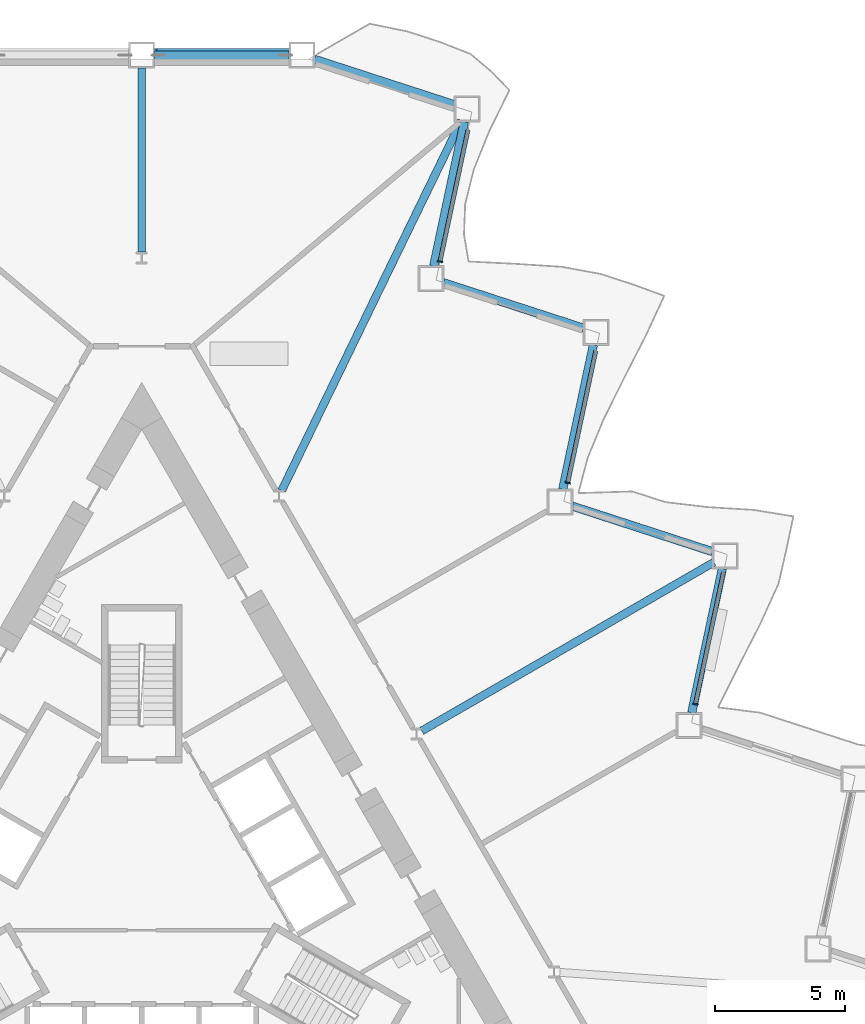
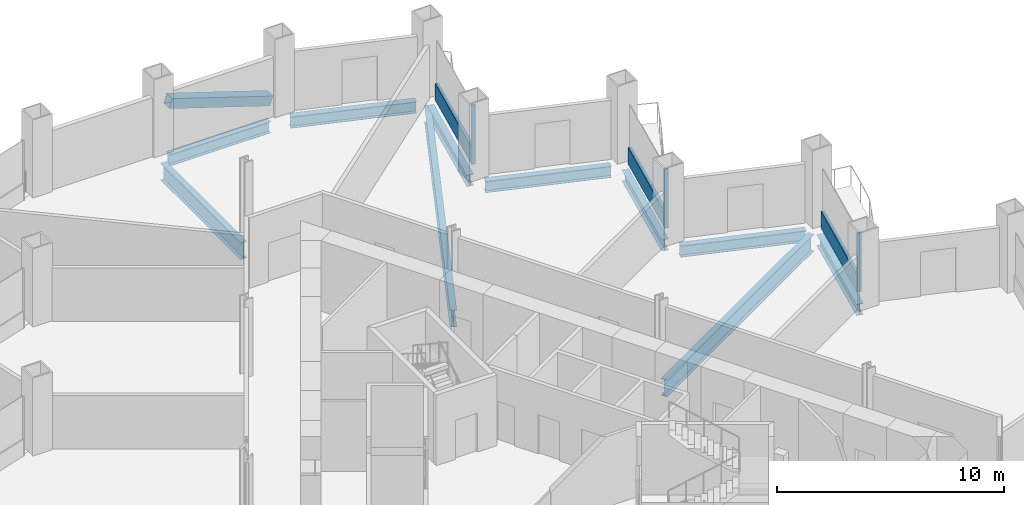
# One storey, part 7 of 21: 10 beams, 7 members, 3 elements without a shape of their own.
"""IFC4 building model written with IfcOpenShell, lengths in metres."""

import ifcopenshell
import ifcopenshell.guid

model = None  # the IFC model being written
_history = None  # IfcOwnerHistory: only IFC2X3 demands one
_inside = {}  # id of a spatial element -> (the spatial element, [elements in it])
_under = {}  # id of a project, library or spatial element -> (it, [spatial elements below it])
_declared = {}  # id of a project -> (the project, [libraries it declares])
_typed = {}  # id of a type object -> (the type object, [elements of that type])
_made_of = {}  # id of a material, layer set ... -> (it, [elements and type objects made of it])


def new_model(schema):
    """Start an empty IFC model of exactly this schema.

    Asked for "IFC4X3", IfcOpenShell would pick the latest addendum, in which some entities
    have other attributes; the version numbers below select the first issue.
    IFC2X3 requires an IfcOwnerHistory on every rooted entity: one is made here for all.
    """
    global model, _history
    if schema == "IFC4X3":
        model = ifcopenshell.file(schema_version=(4, 3, 0, 0))
    else:
        model = ifcopenshell.file(schema=schema)
    _inside.clear()
    _under.clear()
    _declared.clear()
    _typed.clear()
    _made_of.clear()
    _history = None
    if model.schema == "IFC2X3":
        org = make("IfcOrganization", Name="unknown")
        user = make(
            "IfcPersonAndOrganization",
            ThePerson=make("IfcPerson", FamilyName="unknown"),
            TheOrganization=org,
        )
        app = make(
            "IfcApplication",
            ApplicationDeveloper=org,
            Version="unknown",
            ApplicationFullName="unknown",
            ApplicationIdentifier="unknown",
        )
        _history = make(
            "IfcOwnerHistory",
            OwningUser=user,
            OwningApplication=app,
            ChangeAction="ADDED",
            CreationDate=0,
        )
    return model


def make(cls, **values):
    """One entity of the class cls with the attributes given. An attribute that is None is left unset."""
    return model.create_entity(
        cls, **{name: value for name, value in values.items() if value is not None}
    )


def rooted(cls, **values):
    """An entity with a GlobalId (a new one), such as an element, a storey or a relation."""
    return make(cls, GlobalId=ifcopenshell.guid.new(), OwnerHistory=_history, **values)


def si_unit(unit_type, name, prefix=None):
    """IfcSIUnit, for example si_unit("LENGTHUNIT", "METRE", prefix="MILLI")."""
    return make("IfcSIUnit", UnitType=unit_type, Prefix=prefix, Name=name)


def assignment(units):
    """IfcUnitAssignment: the units of a project."""
    return None if units is None else make("IfcUnitAssignment", Units=units)


def point(xyz):
    """IfcCartesianPoint."""
    return None if xyz is None else make("IfcCartesianPoint", Coordinates=xyz)


def direction(xyz):
    """IfcDirection."""
    return None if xyz is None else make("IfcDirection", DirectionRatios=xyz)


def frame(location, z_axis=None, x_axis=None):
    """IfcAxis2Placement3D, a coordinate frame: its origin and axes. An axis left out is left unset."""
    return make(
        "IfcAxis2Placement3D",
        Location=point(location),
        Axis=direction(z_axis),
        RefDirection=direction(x_axis),
    )


def frame_2d(location, x_axis=None):
    """IfcAxis2Placement2D, a coordinate frame in the plane: its origin and x axis."""
    return make(
        "IfcAxis2Placement2D", Location=point(location), RefDirection=direction(x_axis)
    )


def origin():
    """The frame at (0, 0, 0) with its axes left unset."""
    return frame((0.0, 0.0, 0.0))


def origin_2d():
    """The frame at (0, 0) in the plane with its x axis left unset."""
    return frame_2d((0.0, 0.0))


def place(relative_to, where):
    """IfcLocalPlacement: puts the frame where relative to a parent placement (None: the world)."""
    return make(
        "IfcLocalPlacement", PlacementRelTo=relative_to, RelativePlacement=where
    )


def context(
    kind, dimensions, precision=None, world=None, true_north=None, identifier=None
):
    """IfcGeometricRepresentationContext, for example the 3D "Model" context."""
    return make(
        "IfcGeometricRepresentationContext",
        ContextIdentifier=identifier,
        ContextType=kind,
        CoordinateSpaceDimension=dimensions,
        Precision=precision,
        WorldCoordinateSystem=world,
        TrueNorth=true_north,
    )


def subcontext(parent, identifier, kind, view, scale=None):
    """IfcGeometricRepresentationSubContext, for example "Body" below "Model"."""
    return make(
        "IfcGeometricRepresentationSubContext",
        ContextIdentifier=identifier,
        ContextType=kind,
        ParentContext=parent,
        TargetScale=scale,
        TargetView=view,
    )


def project(units=None, contexts=None):
    """IfcProject with its units and contexts."""
    return rooted(
        "IfcProject",
        Name="project",
        RepresentationContexts=contexts,
        UnitsInContext=assignment(units),
    )


def spatial(cls, under=None, at=None, **own):
    """A site, building, storey or space (cls), placed at a placement, below another one or the project."""
    s = rooted(cls, ObjectPlacement=at, **own)
    if under is not None:
        _under.setdefault(under.id(), (under, []))[1].append(s)
    return s


def profile(cls, at=None, kind="AREA", **sizes):
    """A parametric profile (cls). Its sizes go by their IFC names, for example OverallWidth=200.0."""
    return make(cls, ProfileType=kind, Position=at, **sizes)


def rectangle(**sizes):
    """IfcRectangleProfileDef."""
    return profile("IfcRectangleProfileDef", **sizes)


def hollow_rectangle(**sizes):
    """IfcRectangleHollowProfileDef."""
    return profile("IfcRectangleHollowProfileDef", **sizes)


def i_section(**sizes):
    """IfcIShapeProfileDef."""
    return profile("IfcIShapeProfileDef", **sizes)


def extrude(swept, where, along, depth):
    """IfcExtrudedAreaSolid: the profile swept, set in the frame where, extruded along a direction by depth."""
    return make(
        "IfcExtrudedAreaSolid",
        SweptArea=swept,
        Position=where,
        ExtrudedDirection=direction(along),
        Depth=depth,
    )


def shape(context_of_items, identifier, shape_type, items):
    """IfcShapeRepresentation: the items that make up one representation, for example the "Body"."""
    return make(
        "IfcShapeRepresentation",
        ContextOfItems=context_of_items,
        RepresentationIdentifier=identifier,
        RepresentationType=shape_type,
        Items=items,
    )


def material(Name=None, Category=None):
    """IfcMaterial."""
    return make("IfcMaterial", Name=Name, Category=Category)


def layer(
    of_material, thickness, ventilated=None, Name=None, Category=None, Priority=None
):
    """IfcMaterialLayer: one layer of a wall or slab, of a material (None: an air gap)."""
    return make(
        "IfcMaterialLayer",
        Material=of_material,
        LayerThickness=thickness,
        IsVentilated=ventilated,
        Name=Name,
        Category=Category,
        Priority=Priority,
    )


def layer_set(layers, Name=None):
    """IfcMaterialLayerSet."""
    return make("IfcMaterialLayerSet", MaterialLayers=layers, LayerSetName=Name)


def material_profile(
    of_material, cross_section, Name=None, Category=None, Priority=None
):
    """IfcMaterialProfile: a cross section and its material."""
    return make(
        "IfcMaterialProfile",
        Name=Name,
        Material=of_material,
        Profile=cross_section,
        Priority=Priority,
        Category=Category,
    )


def profile_set(profiles, Name=None, composite=None):
    """IfcMaterialProfileSet."""
    return make(
        "IfcMaterialProfileSet",
        Name=Name,
        MaterialProfiles=profiles,
        CompositeProfile=composite,
    )


def made_of(thing, what):
    """Note that an element or type object is made of a material, layer set ...; save() writes the relation."""
    if what is not None:
        _made_of.setdefault(what.id(), (what, []))[1].append(thing)
    return thing


def type_object(cls, material=None, **own):
    """A type object (cls), such as IfcWallType, which elements share."""
    return made_of(rooted(cls, **own), material)


def element(
    cls,
    number,
    at=None,
    inside=None,
    cuts=None,
    type_object=None,
    material=None,
    context=None,
    identifier="Body",
    shape_type=None,
    held_by="IfcProductDefinitionShape",
    body=None,
    shapes=None,
    **own,
):
    """One element of the class cls, such as IfcWall. Its Tag is "e" and its number.

    at: its placement. inside: the storey or other place that contains it. cuts: it is an
    opening in that element (IfcRelVoidsElement). A single representation is given by context,
    identifier, shape_type and body (its items); several are given by shapes. held_by: the class
    of the entity that holds the representations. save() writes the other relations.
    """
    e = rooted(cls, Tag="e%d" % number, ObjectPlacement=at, **own)
    if body is not None:
        shapes = [shape(context, identifier, shape_type, body)]
    if shapes is not None:
        e.Representation = make(held_by, Representations=shapes)
    if inside is not None:
        _inside.setdefault(inside.id(), (inside, []))[1].append(e)
    if cuts is not None:
        rooted(
            "IfcRelVoidsElement", RelatingBuildingElement=cuts, RelatedOpeningElement=e
        )
    if type_object is not None:
        _typed.setdefault(type_object.id(), (type_object, []))[1].append(e)
    return made_of(e, material)


def aggregate(whole, parts):
    """IfcRelAggregates: a whole, such as a stair, and the parts it consists of."""
    return rooted("IfcRelAggregates", RelatingObject=whole, RelatedObjects=parts)


def save(model, path):
    """Write the relations noted so far, then the file.

    IfcRelAggregates (storeys below a building ...), IfcRelContainedInSpatialStructure (elements
    in a storey), IfcRelDefinesByType, IfcRelAssociatesMaterial and IfcRelDeclares: one each for
    every whole, place, type object, material and project.
    """
    for whole, parts in _under.values():
        aggregate(whole, parts)
    for where, things in _inside.values():
        rooted(
            "IfcRelContainedInSpatialStructure",
            RelatedElements=things,
            RelatingStructure=where,
        )
    for kind, things in _typed.values():
        rooted("IfcRelDefinesByType", RelatedObjects=things, RelatingType=kind)
    for what, things in _made_of.values():
        rooted("IfcRelAssociatesMaterial", RelatedObjects=things, RelatingMaterial=what)
    for by, libraries in _declared.values():
        rooted("IfcRelDeclares", RelatingContext=by, RelatedDefinitions=libraries)
    model.write(path)


model = new_model("IFC4")

# Units and contexts
model_context = context("Model", 3, precision=1e-05, world=origin(), true_north=direction((0.0, 1.0)))
body_context = subcontext(model_context, "Body", "Model", "MODEL_VIEW")
ifc_project = project(units=[si_unit("LENGTHUNIT", "METRE"), si_unit("AREAUNIT", "SQUARE_METRE"), si_unit("VOLUMEUNIT", "CUBIC_METRE"), si_unit("PLANEANGLEUNIT", "RADIAN"), si_unit("MASSUNIT", "GRAM", prefix="KILO")], contexts=[model_context])

# Site, building, storey
site_placement = place(None, origin())
site = spatial("IfcSite", under=ifc_project, at=site_placement, CompositionType="ELEMENT")
building_placement = place(site_placement, origin())
building = spatial("IfcBuilding", under=site, at=building_placement, Name="Cormorant Prow Tower", CompositionType="ELEMENT")
storey_placement = place(building_placement, frame((0.0, 0.0, 67.800048828125)))
storey = spatial("IfcBuildingStorey", under=building, at=storey_placement, Name="L14", CompositionType="ELEMENT", Elevation=67.800048828125)

# Member
ifc_material_1 = material(Name="Structural steel ASTM A500 Gr C", Category="steel")
ifc_material_profile_1 = material_profile(ifc_material_1, hollow_rectangle(XDim=0.508056640625, YDim=0.508056640625, WallThickness=0.014892578125, at=origin_2d()), Name="HSS20x20x5/8")
ifc_profile_set_1 = profile_set([ifc_material_profile_1], Name="Structural steel ASTM A500 Gr C")
member_type_1 = type_object("IfcMemberType", Name="Chamfer brace HSS20x20x5/8", PredefinedType="BRACE", material=ifc_profile_set_1)
member_1_placement = place(storey_placement, frame((5.65087890625, 32.233642578125, 0.76708984375), z_axis=(-0.951761092368, 0.0, 0.306840061033), x_axis=(0.0, -1.0, 0.0)))
element("IfcMember", 1, at=member_1_placement, inside=storey, type_object=member_type_1, Name="Chamfer brace BR1 at N00 L14", PredefinedType="BRACE", context=body_context, shape_type="SweptSolid", body=[
    extrude(hollow_rectangle(XDim=0.508056640625, YDim=0.508056640625, WallThickness=0.014892578125, at=origin_2d()), origin(), (0.0, 0.0, 1.0), 5.39208984375),
])

# Curtain wall, member
ifc_material_2 = material(Name="Aluminium 6063-T6", Category="aluminium")
ifc_layer = layer(ifc_material_2, 0.199951171875)
ifc_layer_set = layer_set([ifc_layer], Name="Aluminium 6063-T6")
curtain_wall_type = type_object("IfcCurtainWallType", Name="Office unitised curtain wall 200", PredefinedType="NOTDEFINED", material=ifc_layer_set)
curtain_wall_1_placement = place(storey_placement, origin())
curtain_wall_1 = element("IfcCurtainWall", 2, at=curtain_wall_1_placement, inside=storey, type_object=curtain_wall_type, Name="Office curtain wall ENE04", PredefinedType="NOTDEFINED")
ifc_material_3 = material(Name="Aluminium 6063-T6", Category="aluminium")
ifc_material_profile_2 = material_profile(ifc_material_3, rectangle(XDim=0.199951171875, YDim=0.06005859375, at=origin_2d()), Name="Office mullion 60x200")
ifc_profile_set_2 = profile_set([ifc_material_profile_2], Name="Aluminium 6063-T6")
member_type_2 = type_object("IfcMemberType", Name="Office mullion 60x200", PredefinedType="MULLION", material=ifc_profile_set_2)
member_2_placement = place(storey_placement, frame((21.318359375, 7.259521484375, 0.0), z_axis=(0.0, 0.0, 1.0), x_axis=(-0.978147586919, 0.20791175581, 0.0)))
member_2 = element("IfcMember", 3, at=member_2_placement, type_object=member_type_2, Name="Office mullion ENE04", PredefinedType="MULLION", context=body_context, shape_type="SweptSolid", body=[
    extrude(rectangle(XDim=0.199951171875, YDim=0.06005859375, at=origin_2d()), origin(), (0.0, 0.0, 1.0), 3.18896484375),
])

curtain_wall_2_placement = place(storey_placement, origin())
curtain_wall_2 = element("IfcCurtainWall", 4, at=curtain_wall_2_placement, inside=storey, type_object=curtain_wall_type, Name="Office curtain wall ENE06", PredefinedType="NOTDEFINED")
member_3_placement = place(storey_placement, frame((16.4013671875, 15.77587890625, 0.0), z_axis=(0.0, 0.0, 1.0), x_axis=(-0.978147586919, 0.20791175581, 0.0)))
member_3 = element("IfcMember", 5, at=member_3_placement, type_object=member_type_2, Name="Office mullion ENE06", PredefinedType="MULLION", context=body_context, shape_type="SweptSolid", body=[
    extrude(rectangle(XDim=0.199951171875, YDim=0.06005859375, at=origin_2d()), origin(), (0.0, 0.0, 1.0), 3.18896484375),
])

curtain_wall_3_placement = place(storey_placement, origin())
curtain_wall_3 = element("IfcCurtainWall", 6, at=curtain_wall_3_placement, inside=storey, type_object=curtain_wall_type, Name="Office curtain wall ENE08", PredefinedType="NOTDEFINED")
member_4_placement = place(storey_placement, frame((11.484375, 24.29248046875, 0.0), z_axis=(0.0, 0.0, 1.0), x_axis=(-0.978147586919, 0.20791175581, 0.0)))
member_4 = element("IfcMember", 7, at=member_4_placement, type_object=member_type_2, Name="Office mullion ENE08", PredefinedType="MULLION", context=body_context, shape_type="SweptSolid", body=[
    extrude(rectangle(XDim=0.199951171875, YDim=0.06005859375, at=origin_2d()), origin(), (0.0, 0.0, 1.0), 3.18896484375),
])

# Member
ifc_material_4 = material(Name="Terracotta", Category="masonry")
ifc_material_profile_3 = material_profile(ifc_material_4, rectangle(XDim=0.159912109375, YDim=0.89990234375, at=origin_2d()), Name="Office terracotta spandrel rail 160x900")
ifc_profile_set_3 = profile_set([ifc_material_profile_3], Name="Terracotta")
member_type_3 = type_object("IfcMemberType", Name="Office terracotta spandrel rail 160x900", PredefinedType="USERDEFINED", material=ifc_profile_set_3)
member_5_placement = place(storey_placement, frame((21.324462890625, 7.288818359375, 0.449951171875), z_axis=(0.207952297337, 0.978138968671, 0.0), x_axis=(-0.978138968671, 0.207952297337, 0.0)))
member_5 = element("IfcMember", 8, at=member_5_placement, type_object=member_type_3, Name="Office spandrel rail ENE04", ObjectType="TRANSOM", PredefinedType="USERDEFINED", context=body_context, shape_type="SweptSolid", body=[
    extrude(rectangle(XDim=0.159912109375, YDim=0.89990234375, at=origin_2d()), origin(), (0.0, 0.0, 1.0), 5.150390625),
])

aggregate(curtain_wall_1, [member_2, member_5])

member_6_placement = place(storey_placement, frame((16.407470703125, 15.805419921875, 0.449951171875), z_axis=(0.207952297337, 0.978138968671, 0.0), x_axis=(-0.978138968671, 0.207952297337, 0.0)))
member_6 = element("IfcMember", 9, at=member_6_placement, type_object=member_type_3, Name="Office spandrel rail ENE06", ObjectType="TRANSOM", PredefinedType="USERDEFINED", context=body_context, shape_type="SweptSolid", body=[
    extrude(rectangle(XDim=0.159912109375, YDim=0.89990234375, at=origin_2d()), origin(), (0.0, 0.0, 1.0), 5.150390625),
])

aggregate(curtain_wall_2, [member_3, member_6])

member_7_placement = place(storey_placement, frame((11.490478515625, 24.32177734375, 0.449951171875), z_axis=(0.207897305086, 0.978150658405, 0.0), x_axis=(-0.978150658405, 0.207897305086, 0.0)))
member_7 = element("IfcMember", 10, at=member_7_placement, type_object=member_type_3, Name="Office spandrel rail ENE08", ObjectType="TRANSOM", PredefinedType="USERDEFINED", context=body_context, shape_type="SweptSolid", body=[
    extrude(rectangle(XDim=0.159912109375, YDim=0.89990234375, at=origin_2d()), origin(), (0.0, 0.0, 1.0), 5.150634765625),
])

aggregate(curtain_wall_3, [member_4, member_7])

# Beams
ifc_material_5 = material(Name="Structural steel ASTM A992 Gr 50", Category="steel")
ifc_material_profile_4 = material_profile(ifc_material_5, i_section(OverallWidth=0.3046875, OverallDepth=0.914794921875, WebThickness=0.0166015625, FlangeThickness=0.02587890625, at=origin_2d()), Name="W36x160")
ifc_profile_set_4 = profile_set([ifc_material_profile_4], Name="Structural steel ASTM A992 Gr 50")
beam_type_1 = type_object("IfcBeamType", Name="Radial floor beam W36x160", PredefinedType="BEAM", material=ifc_profile_set_4)
beam_1_placement = place(storey_placement, frame((0.0, 24.662109375, -0.857421875), z_axis=(0.0, 1.0, 0.0), x_axis=(-1.0, 0.0, 0.0)))
element("IfcBeam", 11, at=beam_1_placement, inside=storey, type_object=beam_type_1, Name="Radial floor beam FB1 1 L14", PredefinedType="BEAM", context=body_context, shape_type="SweptSolid", body=[
    extrude(i_section(OverallWidth=0.3046875, OverallDepth=0.914794921875, WebThickness=0.0166015625, FlangeThickness=0.02587890625, at=origin_2d()), origin(), (0.0, 0.0, 1.0), 7.071533203125),
])
beam_2_placement = place(storey_placement, frame((10.779541015625, 6.2236328125, -0.857421875), z_axis=(0.866030278318, 0.499991556966, 0.0), x_axis=(-0.499991556966, 0.866030278318, 0.0)))
element("IfcBeam", 12, at=beam_2_placement, inside=storey, type_object=beam_type_1, Name="Radial floor beam FB1 11 L14", PredefinedType="BEAM", context=body_context, shape_type="SweptSolid", body=[
    extrude(i_section(OverallWidth=0.3046875, OverallDepth=0.914794921875, WebThickness=0.0166015625, FlangeThickness=0.02587890625, at=origin_2d()), origin(), (0.0, 0.0, 1.0), 12.984130859375),
])
beam_3_placement = place(storey_placement, frame((5.390625, 15.4775390625, -0.857421875), z_axis=(0.436839436813, 0.899539496879, 0.0), x_axis=(-0.899539496879, 0.436839436813, 0.0)))
element("IfcBeam", 13, at=beam_3_placement, inside=storey, type_object=beam_type_1, Name="Radial floor beam FB1 12 L14", PredefinedType="BEAM", context=body_context, shape_type="SweptSolid", body=[
    extrude(i_section(OverallWidth=0.3046875, OverallDepth=0.914794921875, WebThickness=0.0166015625, FlangeThickness=0.02587890625, at=origin_2d()), origin(), (0.0, 0.0, 1.0), 15.83203125),
])
ifc_material_6 = material(Name="Structural steel ASTM A992 Gr 50", Category="steel")
ifc_material_profile_5 = material_profile(ifc_material_6, i_section(OverallWidth=0.32373046875, OverallDepth=0.611083984375, WebThickness=0.0126953125, FlangeThickness=0.01904296875, at=origin_2d()), Name="W24x104")
ifc_profile_set_5 = profile_set([ifc_material_profile_5], Name="Structural steel ASTM A992 Gr 50")
beam_type_2 = type_object("IfcBeamType", Name="Spandrel beam W24x104", PredefinedType="SPANDREL", material=ifc_profile_set_5)
beam_4_placement = place(storey_placement, frame((21.171875, 6.918212890625, -0.70556640625), z_axis=(0.207900376723, 0.97815000555, 0.0), x_axis=(-0.97815000555, 0.207900376723, 0.0)))
element("IfcBeam", 14, at=beam_4_placement, inside=storey, type_object=beam_type_2, Name="Spandrel beam SB1 ENE04-ENE05 L14", PredefinedType="SPANDREL", context=body_context, shape_type="SweptSolid", body=[
    extrude(i_section(OverallWidth=0.32373046875, OverallDepth=0.611083984375, WebThickness=0.0126953125, FlangeThickness=0.01904296875, at=origin_2d()), origin(), (0.0, 0.0, 1.0), 5.6826171875),
])
beam_5_placement = place(storey_placement, frame((21.981689453125, 13.1201171875, -0.70556640625), z_axis=(-0.951049222751, 0.309039440696, 0.0), x_axis=(-0.309039440696, -0.951049222751, 0.0)))
element("IfcBeam", 15, at=beam_5_placement, inside=storey, type_object=beam_type_2, Name="Spandrel beam SB1 ENE05-ENE06 L14", PredefinedType="SPANDREL", context=body_context, shape_type="SweptSolid", body=[
    extrude(i_section(OverallWidth=0.32373046875, OverallDepth=0.611083984375, WebThickness=0.0126953125, FlangeThickness=0.01904296875, at=origin_2d()), origin(), (0.0, 0.0, 1.0), 5.682373046875),
])
beam_6_placement = place(storey_placement, frame((16.205810546875, 15.519775390625, -0.70556640625), z_axis=(0.207900376723, 0.97815000555, 0.0), x_axis=(-0.97815000555, 0.207900376723, 0.0)))
element("IfcBeam", 16, at=beam_6_placement, inside=storey, type_object=beam_type_2, Name="Spandrel beam SB1 ENE06-ENE07 L14", PredefinedType="SPANDREL", context=body_context, shape_type="SweptSolid", body=[
    extrude(i_section(OverallWidth=0.32373046875, OverallDepth=0.611083984375, WebThickness=0.0126953125, FlangeThickness=0.01904296875, at=origin_2d()), origin(), (0.0, 0.0, 1.0), 5.6826171875),
])
beam_7_placement = place(storey_placement, frame((17.015625, 21.7216796875, -0.70556640625), z_axis=(-0.951049222751, 0.309039440696, 0.0), x_axis=(-0.309039440696, -0.951049222751, 0.0)))
element("IfcBeam", 17, at=beam_7_placement, inside=storey, type_object=beam_type_2, Name="Spandrel beam SB1 ENE07-ENE08 L14", PredefinedType="SPANDREL", context=body_context, shape_type="SweptSolid", body=[
    extrude(i_section(OverallWidth=0.32373046875, OverallDepth=0.611083984375, WebThickness=0.0126953125, FlangeThickness=0.01904296875, at=origin_2d()), origin(), (0.0, 0.0, 1.0), 5.682373046875),
])
beam_8_placement = place(storey_placement, frame((11.23974609375, 24.121337890625, -0.70556640625), z_axis=(0.207900376723, 0.97815000555, 0.0), x_axis=(-0.97815000555, 0.207900376723, 0.0)))
element("IfcBeam", 18, at=beam_8_placement, inside=storey, type_object=beam_type_2, Name="Spandrel beam SB1 ENE08-ENE09 L14", PredefinedType="SPANDREL", context=body_context, shape_type="SweptSolid", body=[
    extrude(i_section(OverallWidth=0.32373046875, OverallDepth=0.611083984375, WebThickness=0.0126953125, FlangeThickness=0.01904296875, at=origin_2d()), origin(), (0.0, 0.0, 1.0), 5.6826171875),
])
beam_9_placement = place(storey_placement, frame((12.049560546875, 30.3232421875, -0.70556640625), z_axis=(-0.951061849722, 0.309000579292, 0.0), x_axis=(-0.309000579292, -0.951061849722, 0.0)))
element("IfcBeam", 19, at=beam_9_placement, inside=storey, type_object=beam_type_2, Name="Spandrel beam SB1 ENE09-N00 L14", PredefinedType="SPANDREL", context=body_context, shape_type="SweptSolid", body=[
    extrude(i_section(OverallWidth=0.32373046875, OverallDepth=0.611083984375, WebThickness=0.0126953125, FlangeThickness=0.01904296875, at=origin_2d()), origin(), (0.0, 0.0, 1.0), 5.682373046875),
])
beam_10_placement = place(storey_placement, frame((5.669677734375, 32.233642578125, -0.70556640625), z_axis=(-1.0, 0.0, 0.0), x_axis=(0.0, -1.0, 0.0)))
element("IfcBeam", 20, at=beam_10_placement, inside=storey, type_object=beam_type_2, Name="Spandrel beam SB1 N00-N01 L14", PredefinedType="SPANDREL", context=body_context, shape_type="SweptSolid", body=[
    extrude(i_section(OverallWidth=0.32373046875, OverallDepth=0.611083984375, WebThickness=0.0126953125, FlangeThickness=0.01904296875, at=origin_2d()), origin(), (0.0, 0.0, 1.0), 5.169677734375),
])

save(model, "model.ifc")
